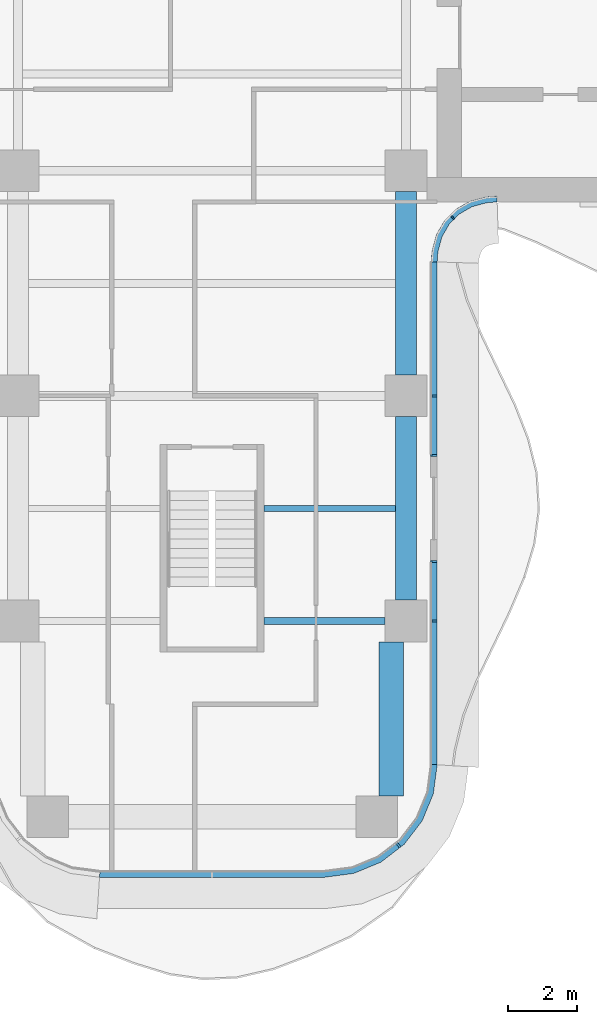
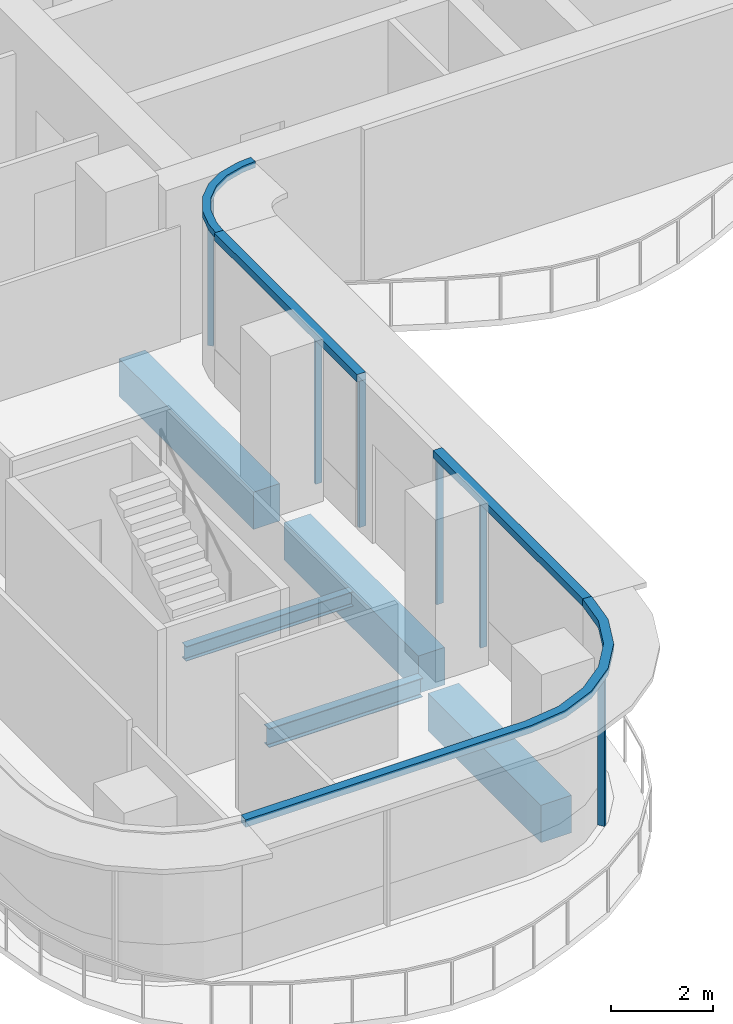
# One storey, part 5 of 17: 10 members, 5 beams, 4 elements without a shape of their own.
"""IFC4 building model written with IfcOpenShell, lengths in metres."""

from ifc_helpers import new_model, si_unit, direction, frame, origin, origin_2d, place, context, subcontext, project, spatial, polyline, rectangle, i_section, outline, extrude, source, transform, mapped, material, layer, layer_set, material_profile, profile_set, type_object, element, aggregate, save


model = new_model("IFC4")

# Units and contexts
model_context = context("Model", 3, precision=1e-05, world=origin(), true_north=direction((0.0, 1.0)))
body_context = subcontext(model_context, "Body", "Model", "MODEL_VIEW")
ifc_project = project(units=[si_unit("LENGTHUNIT", "METRE"), si_unit("AREAUNIT", "SQUARE_METRE"), si_unit("VOLUMEUNIT", "CUBIC_METRE"), si_unit("PLANEANGLEUNIT", "RADIAN"), si_unit("MASSUNIT", "GRAM", prefix="KILO")], contexts=[model_context])

# Site, building, storey
site_placement = place(None, origin())
site = spatial("IfcSite", under=ifc_project, at=site_placement, CompositionType="ELEMENT")
building_placement = place(site_placement, origin())
building = spatial("IfcBuilding", under=site, at=building_placement, Name="Trellis Farm Tower", CompositionType="ELEMENT")
storey_placement = place(building_placement, frame((0.0, 0.0, 162.0)))
storey = spatial("IfcBuildingStorey", under=building, at=storey_placement, Name="L34", CompositionType="ELEMENT", Elevation=162.0)

# Beams
ifc_material_1 = material(Name="Steel S355", Category="steel")
ifc_material_profile_1 = material_profile(ifc_material_1, i_section(OverallWidth=0.1904296875, OverallDepth=0.45703125, WebThickness=0.009033203125, FlangeThickness=0.014404296875, FilletRadius=0.01025390625, at=origin_2d()), Name="UB 457x191x74")
ifc_profile_set_1 = profile_set([ifc_material_profile_1], Name="Steel S355")
beam_type_1 = type_object("IfcBeamType", Name="UB 457x191x74", PredefinedType="BEAM", material=ifc_profile_set_1)
shared_shape_1 = source(origin(), body_context, "Body", "SweptSolid", [
    extrude(i_section(OverallWidth=0.1904296875, OverallDepth=0.45703125, WebThickness=0.009033203125, FlangeThickness=0.014404296875, FilletRadius=0.01025390625, at=origin_2d()), origin(), (0.0, 0.0, 1.0), 3.5),
])
beam_1_placement = place(storey_placement, frame((1.5, -18.60009765625, -0.428466796875), z_axis=(1.0, 0.0, 0.0), x_axis=(0.0, 1.0, 0.0)))
element("IfcBeam", 1, at=beam_1_placement, inside=storey, type_object=beam_type_1, Name="Girder", PredefinedType="BEAM", context=body_context, shape_type="MappedRepresentation", body=[
    mapped(shared_shape_1, transform((0.0, 0.0, 0.0))),
])
ifc_material_2 = material(Name="Concrete C60/75", Category="concrete")
ifc_material_profile_2 = material_profile(ifc_material_2, rectangle(XDim=0.60009765625, YDim=0.89990234375, at=origin_2d()), Name="RC spandrel beam 600x900 C60/75")
ifc_profile_set_2 = profile_set([ifc_material_profile_2], Name="Concrete C60/75")
beam_type_2 = type_object("IfcBeamType", Name="RC spandrel beam 600x900 C60/75", PredefinedType="SPANDREL", material=ifc_profile_set_2)
shared_shape_2 = source(origin(), body_context, "Body", "SweptSolid", [
    extrude(rectangle(XDim=0.60009765625, YDim=0.89990234375, at=origin_2d()), origin(), (0.0, 0.0, 1.0), 5.300048828125),
])
for number, where, z_axis, x_axis, name in (
    (2, (5.60009765625, -18.0, -0.64990234375), (0.0, 1.0, 0.0), (-1.0, 0.0, 0.0), "Girder"),
    (3, (5.60009765625, -11.5, -0.64990234375), (0.0, 1.0, 0.0), (-1.0, 0.0, 0.0), "Girder"),
):
    element("IfcBeam", number, at=place(storey_placement, frame(where, z_axis=z_axis, x_axis=x_axis)), inside=storey, type_object=beam_type_2, Name=name, PredefinedType="SPANDREL", context=body_context, shape_type="MappedRepresentation", body=[
        mapped(shared_shape_2, transform((0.0, 0.0, 0.0))),
    ])
ifc_material_profile_3 = material_profile(ifc_material_2, rectangle(XDim=0.699951171875, YDim=0.89990234375, at=origin_2d()), Name="RC spandrel beam 700x900 C60/75")
ifc_profile_set_3 = profile_set([ifc_material_profile_3], Name="Concrete C60/75")
beam_type_3 = type_object("IfcBeamType", Name="RC spandrel beam 700x900 C60/75", PredefinedType="SPANDREL", material=ifc_profile_set_3)
shared_shape_3 = source(origin(), body_context, "Body", "SweptSolid", [
    extrude(rectangle(XDim=0.699951171875, YDim=0.89990234375, at=origin_2d()), origin(), (0.0, 0.0, 1.0), 4.449951171875),
])
beam_2_placement = place(storey_placement, frame((5.175048828125, -23.64990234375, -0.64990234375), z_axis=(0.0, 1.0, 0.0), x_axis=(-1.0, 0.0, 0.0)))
element("IfcBeam", 4, at=beam_2_placement, inside=storey, type_object=beam_type_3, Name="Girder", PredefinedType="SPANDREL", context=body_context, shape_type="MappedRepresentation", body=[
    mapped(shared_shape_3, transform((0.0, 0.0, 0.0))),
])
ifc_material_profile_4 = material_profile(ifc_material_1, i_section(OverallWidth=0.17138671875, OverallDepth=0.35498046875, WebThickness=0.00732421875, FlangeThickness=0.011474609375, FilletRadius=0.01025390625, at=origin_2d()), Name="UB 356x171x51")
ifc_profile_set_4 = profile_set([ifc_material_profile_4], Name="Steel S355")
beam_type_4 = type_object("IfcBeamType", Name="UB 356x171x51 joist", PredefinedType="JOIST", material=ifc_profile_set_4)
shared_shape_4 = source(origin(), body_context, "Body", "SweptSolid", [
    extrude(i_section(OverallWidth=0.17138671875, OverallDepth=0.35498046875, WebThickness=0.00732421875, FlangeThickness=0.011474609375, FilletRadius=0.01025390625, at=origin_2d()), origin(), (0.0, 0.0, 1.0), 3.800048828125),
])
beam_3_placement = place(storey_placement, frame((1.5, -15.35009765625, -0.37744140625), z_axis=(1.0, 0.0, 0.0), x_axis=(0.0, 1.0, 0.0)))
element("IfcBeam", 5, at=beam_3_placement, inside=storey, type_object=beam_type_4, Name="Floor beam", PredefinedType="JOIST", context=body_context, shape_type="MappedRepresentation", body=[
    mapped(shared_shape_4, transform((0.0, 0.0, 0.0))),
])

# Curtain wall, member
ifc_material_3 = material(Name="Aluminium and glass curtain wall", Category="aluminium")
ifc_layer_1 = layer(ifc_material_3, 0.166015625)
ifc_layer_set_1 = layer_set([ifc_layer_1], Name="WINTER GARDEN CURTAIN WALL CW3")
curtain_wall_type_1 = type_object("IfcCurtainWallType", Name="WINTER GARDEN CURTAIN WALL CW3", PredefinedType="NOTDEFINED", material=ifc_layer_set_1)
placement_1 = place(storey_placement, origin())
curtain_wall_1 = element("IfcCurtainWall", 6, at=placement_1, inside=storey, type_object=curtain_wall_type_1, Name="CW3 002", PredefinedType="NOTDEFINED")
ifc_material_4 = material(Name="Aluminium extrusion 6063-T6", Category="aluminium")
ifc_layer_2 = layer(ifc_material_4, 0.169921875)
ifc_layer_set_2 = layer_set([ifc_layer_2], Name="Aluminium extrusion 6063-T6")
member_type_1 = type_object("IfcMemberType", Name="CW3 TRANSOM 170x150", PredefinedType="USERDEFINED", material=ifc_layer_set_2)
shared_shape_5 = source(origin(), body_context, "Body", "SweptSolid", [
    extrude(outline(polyline([(6.5, -8.2314453125), (6.513916015625, -8.01953125), (6.527587890625, -7.91552734375), (6.63671875, -7.508544921875), (6.846923828125, -7.144287109375), (7.144287109375, -6.846923828125), (7.508544921875, -6.63671875), (7.91552734375, -6.527587890625), (8.01953125, -6.513916015625), (8.2314453125, -6.5), (8.225830078125, -6.330078125), (8.0029296875, -6.3447265625), (7.88232421875, -6.360595703125), (7.44287109375, -6.478271484375), (7.0400390625, -6.7109375), (6.7109375, -7.0400390625), (6.478271484375, -7.44287109375), (6.360595703125, -7.88232421875), (6.3447265625, -8.0029296875), (6.330078125, -8.225830078125), (6.5, -8.2314453125)])), origin(), (0.0, 0.0, 1.0), 0.14990234375),
])
member_1_placement = place(storey_placement, frame((0.0, 0.0, 3.550048828125)))
member_1 = element("IfcMember", 7, at=member_1_placement, type_object=member_type_1, Name="TR3 002", ObjectType="TRANSOM", PredefinedType="USERDEFINED", context=body_context, shape_type="MappedRepresentation", body=[
    mapped(shared_shape_5, transform((0.0, 0.0, 0.0))),
])

# Curtain wall, members
ifc_layer_3 = layer(ifc_material_3, 0.18994140625)
ifc_layer_set_3 = layer_set([ifc_layer_3], Name="RIBBON CURTAIN WALL CW1")
curtain_wall_type_2 = type_object("IfcCurtainWallType", Name="RIBBON CURTAIN WALL CW1", PredefinedType="NOTDEFINED", material=ifc_layer_set_3)
curtain_wall_2 = element("IfcCurtainWall", 8, at=placement_1, inside=storey, type_object=curtain_wall_type_2, Name="CW1 003", PredefinedType="NOTDEFINED")
ifc_layer_4 = layer(ifc_material_4, 0.199951171875)
ifc_layer_set_4 = layer_set([ifc_layer_4], Name="Aluminium extrusion 6063-T6")
member_type_2 = type_object("IfcMemberType", Name="CW1 TRANSOM 200x180", PredefinedType="USERDEFINED", material=ifc_layer_set_4)
shared_shape_6 = source(origin(), body_context, "Body", "SweptSolid", [
    extrude(outline(polyline([(-3.25, -26.0), (3.25, -26.0), (4.091064453125, -25.88916015625), (4.875, -25.564697265625), (5.548095703125, -25.048095703125), (6.064697265625, -24.375), (6.38916015625, -23.591064453125), (6.5, -22.75), (6.300048828125, -22.73681640625), (6.1943359375, -23.5390625), (5.889892578125, -24.274169921875), (5.405517578125, -24.905517578125), (4.774169921875, -25.389892578125), (4.0390625, -25.6943359375), (3.23681640625, -25.800048828125), (-3.23681640625, -25.800048828125), (-3.25, -26.0)])), origin(), (0.0, 0.0, 1.0), 0.179931640625),
])
placement_2 = place(storey_placement, frame((0.0, 0.0, 3.52001953125)))
member_2 = element("IfcMember", 9, at=placement_2, type_object=member_type_2, Name="TR1 003", ObjectType="TRANSOM", PredefinedType="USERDEFINED", context=body_context, shape_type="MappedRepresentation", body=[
    mapped(shared_shape_6, transform((0.0, 0.0, 0.0))),
])
ifc_material_profile_5 = material_profile(ifc_material_4, rectangle(XDim=0.06005859375, YDim=0.14990234375, at=origin_2d()), Name="MULLION 60x150")
ifc_profile_set_5 = profile_set([ifc_material_profile_5], Name="Aluminium extrusion 6063-T6")
member_type_3 = type_object("IfcMemberType", Name="CW1 MULLION 60x150", PredefinedType="MULLION", material=ifc_profile_set_5)
shared_shape_7 = source(origin(), body_context, "Body", "SweptSolid", [
    extrude(rectangle(XDim=0.06005859375, YDim=0.14990234375, at=origin_2d()), origin(), (0.0, 0.0, 1.0), 3.52001953125),
])
member_3_placement = place(storey_placement, frame((5.385498046875, -25.078369140625, 0.0), z_axis=(0.0, 0.0, 1.0), x_axis=(0.793353340291, 0.608761429009, 0.0)))
member_3 = element("IfcMember", 10, at=member_3_placement, type_object=member_type_3, Name="MU1 003-02", PredefinedType="MULLION", context=body_context, shape_type="MappedRepresentation", body=[
    mapped(shared_shape_7, transform((0.0, 0.0, 0.0))),
])
aggregate(curtain_wall_2, [member_3, member_2])

curtain_wall_3 = element("IfcCurtainWall", 11, at=placement_1, inside=storey, type_object=curtain_wall_type_2, Name="CW1 004", PredefinedType="NOTDEFINED")
member_4_placement = place(storey_placement, frame((6.425048828125, -18.60009765625, 0.0), z_axis=(0.0, 0.0, 1.0), x_axis=(0.0, 1.0, 0.0)))
member_4 = element("IfcMember", 12, at=member_4_placement, type_object=member_type_3, Name="MU1 004-01", PredefinedType="MULLION", context=body_context, shape_type="MappedRepresentation", body=[
    mapped(shared_shape_7, transform((0.0, 0.0, 0.0))),
])
member_5_placement = place(storey_placement, frame((6.425048828125, -16.8798828125, 0.0), z_axis=(0.0, 0.0, 1.0), x_axis=(0.0, 1.0, 0.0)))
member_5 = element("IfcMember", 13, at=member_5_placement, type_object=member_type_3, Name="MU1 004-02", PredefinedType="MULLION", context=body_context, shape_type="MappedRepresentation", body=[
    mapped(shared_shape_7, transform((0.0, 0.0, 0.0))),
])

curtain_wall_4 = element("IfcCurtainWall", 14, at=placement_1, inside=storey, type_object=curtain_wall_type_2, Name="CW1 005", PredefinedType="NOTDEFINED")
member_6_placement = place(storey_placement, frame((6.425048828125, -13.820068359375, 0.0), z_axis=(0.0, 0.0, 1.0), x_axis=(0.0, 1.0, 0.0)))
member_6 = element("IfcMember", 15, at=member_6_placement, type_object=member_type_3, Name="MU1 005-01", PredefinedType="MULLION", context=body_context, shape_type="MappedRepresentation", body=[
    mapped(shared_shape_7, transform((0.0, 0.0, 0.0))),
])
member_7_placement = place(storey_placement, frame((6.425048828125, -12.10009765625, 0.0), z_axis=(0.0, 0.0, 1.0), x_axis=(0.0, 1.0, 0.0)))
member_7 = element("IfcMember", 16, at=member_7_placement, type_object=member_type_3, Name="MU1 005-02", PredefinedType="MULLION", context=body_context, shape_type="MappedRepresentation", body=[
    mapped(shared_shape_7, transform((0.0, 0.0, 0.0))),
])

# Member
shared_shape_8 = source(origin(), body_context, "Body", "SweptSolid", [
    extrude(outline(polyline([(6.5, -22.75), (6.5, -16.85009765625), (6.300048828125, -16.85009765625), (6.300048828125, -22.73681640625), (6.5, -22.75)])), origin(), (0.0, 0.0, 1.0), 0.179931640625),
])
member_8 = element("IfcMember", 17, at=placement_2, type_object=member_type_2, Name="TR1 004", ObjectType="TRANSOM", PredefinedType="USERDEFINED", context=body_context, shape_type="MappedRepresentation", body=[
    mapped(shared_shape_8, transform((0.0, 0.0, 0.0))),
])

aggregate(curtain_wall_3, [member_4, member_5, member_8])

shared_shape_9 = source(origin(), body_context, "Body", "SweptSolid", [
    extrude(outline(polyline([(6.5, -13.85009765625), (6.5, -8.2314453125), (6.300048828125, -8.224853515625), (6.300048828125, -13.85009765625), (6.5, -13.85009765625)])), origin(), (0.0, 0.0, 1.0), 0.179931640625),
])
member_9 = element("IfcMember", 18, at=placement_2, type_object=member_type_2, Name="TR1 005", ObjectType="TRANSOM", PredefinedType="USERDEFINED", context=body_context, shape_type="MappedRepresentation", body=[
    mapped(shared_shape_9, transform((0.0, 0.0, 0.0))),
])

aggregate(curtain_wall_4, [member_6, member_7, member_9])

ifc_material_profile_6 = material_profile(ifc_material_4, rectangle(XDim=0.050048828125, YDim=0.1201171875, at=origin_2d()), Name="MULLION 50x120")
ifc_profile_set_6 = profile_set([ifc_material_profile_6], Name="Aluminium extrusion 6063-T6")
member_type_4 = type_object("IfcMemberType", Name="CW3 MULLION 50x120", PredefinedType="MULLION", material=ifc_profile_set_6)
shared_shape_10 = source(origin(), body_context, "Body", "SweptSolid", [
    extrude(rectangle(XDim=0.050048828125, YDim=0.1201171875, at=origin_2d()), origin(), (0.0, 0.0, 1.0), 3.550048828125),
])
member_10_placement = place(storey_placement, frame((6.953125, -6.953125, 0.0), z_axis=(0.0, 0.0, 1.0), x_axis=(0.707106781187, 0.707106781187, 0.0)))
member_10 = element("IfcMember", 19, at=member_10_placement, type_object=member_type_4, Name="MU3 002-01", PredefinedType="MULLION", context=body_context, shape_type="MappedRepresentation", body=[
    mapped(shared_shape_10, transform((0.0, 0.0, 0.0))),
])

aggregate(curtain_wall_1, [member_10, member_1])

save(model, "model.ifc")
